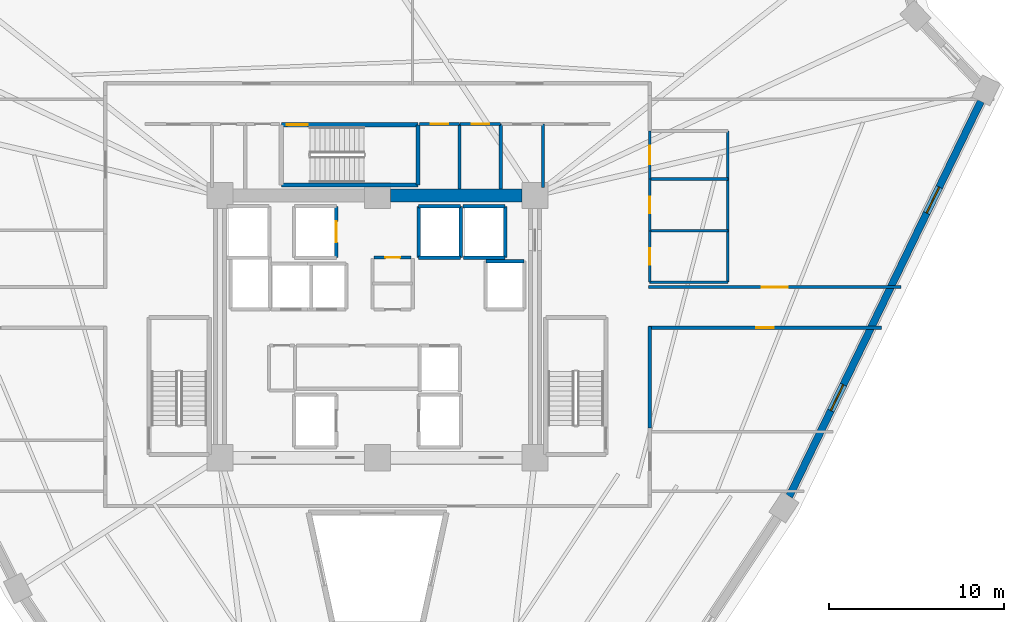
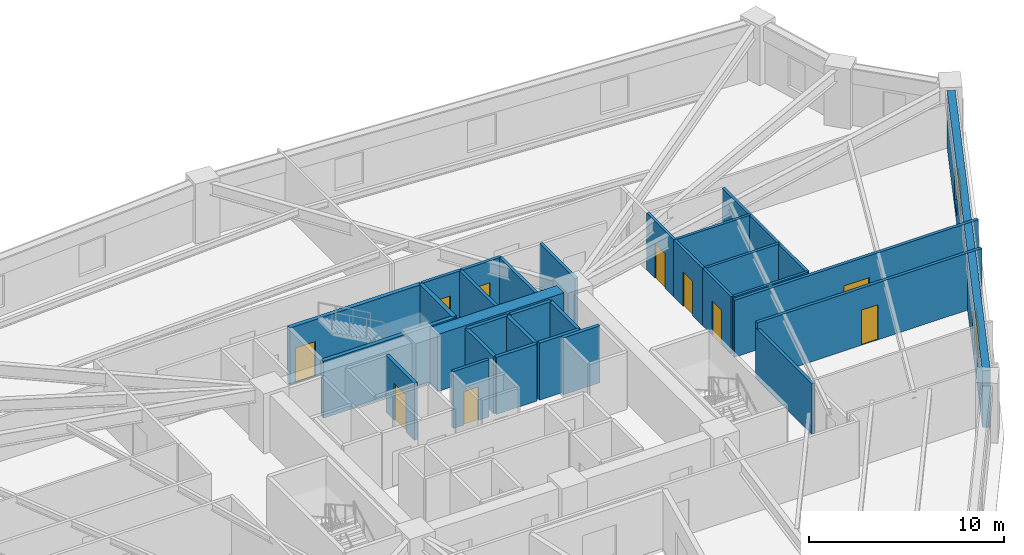
# One storey, part 6 of 8: 30 walls, 10 doors, 2 windows, 12 openings.
"""IFC4 building model written with IfcOpenShell, lengths in metres."""

from ifc_helpers import new_model, si_unit, direction, frame, frame_2d, origin, place, context, subcontext, project, spatial, rectangle, extrude, source, transform, mapped, material, layer, layer_set, type_object, element, fill, save


model = new_model("IFC4")

# Units and contexts
model_context = context("Model", 3, precision=1e-05, world=origin(), true_north=direction((0.0, 1.0)))
body_context = subcontext(model_context, "Body", "Model", "MODEL_VIEW")
ifc_project = project(units=[si_unit("LENGTHUNIT", "METRE"), si_unit("AREAUNIT", "SQUARE_METRE"), si_unit("VOLUMEUNIT", "CUBIC_METRE"), si_unit("PLANEANGLEUNIT", "RADIAN"), si_unit("MASSUNIT", "GRAM", prefix="KILO")], contexts=[model_context])

# Site, building, storey
site_placement = place(None, origin())
site = spatial("IfcSite", under=ifc_project, at=site_placement, CompositionType="ELEMENT")
building_placement = place(site_placement, origin())
building = spatial("IfcBuilding", under=site, at=building_placement, Name="Liaohun Quay Tower", CompositionType="ELEMENT")
storey_placement = place(building_placement, frame((0.0, 0.0, 174.0)))
storey = spatial("IfcBuildingStorey", under=building, at=storey_placement, Name="L45", CompositionType="ELEMENT", Elevation=174.0)

# Wall
ifc_material_1 = material(Name="Concrete C60", Category="concrete")
ifc_layer_1 = layer(ifc_material_1, 0.75, Name="Concrete C60", Category="concrete")
ifc_layer_set_1 = layer_set([ifc_layer_1], Name="Concrete C60")
wall_type_1 = type_object("IfcWallType", Name="WAL-COR-Z2", PredefinedType="SHEAR", material=ifc_layer_set_1)
wall_1_placement = place(storey_placement, frame((60.75, 61.5, 0.0), z_axis=(0.0, 0.0, 1.0), x_axis=(1.0, 0.0, 0.0)))
element("IfcWall", 1, at=wall_1_placement, inside=storey, type_object=wall_type_1, Name="L45 Central Core Shear Wall N-E", PredefinedType="SHEAR", context=body_context, shape_type="SweptSolid", body=[
    extrude(rectangle(XDim=7.5, YDim=0.75, at=frame_2d((3.75, 0.0))), origin(), (0.0, 0.0, 1.0), 3.570068359375),
])

# Wall, openings, windows
ifc_material_2 = material(Name="Precast concrete C50 insulated sandwich", Category="concrete")
ifc_layer_2 = layer(ifc_material_2, 0.419921875, Name="Precast concrete C50 insulated sandwich", Category="concrete")
ifc_layer_set_2 = layer_set([ifc_layer_2], Name="Precast concrete C50 insulated sandwich")
wall_type_2 = type_object("IfcWallType", Name="WAL-EXT-Z12", PredefinedType="SOLIDWALL", material=ifc_layer_set_2)
wall_2_placement = place(storey_placement, frame((83.532958984375, 44.29296875, 0.0), z_axis=(0.0, 0.0, 1.0), x_axis=(0.43630023006, 0.899801149838, 0.0)))
wall_2 = element("IfcWall", 2, at=wall_2_placement, inside=storey, type_object=wall_type_2, Name="L45 Brutalist Precast Pier Wall 03", PredefinedType="SOLIDWALL", context=body_context, shape_type="SweptSolid", body=[
    extrude(rectangle(XDim=25.1044921875, YDim=0.419921875, at=frame_2d((12.55224609375, 0.0))), origin(), (0.0, 0.0, 1.0), 3.570068359375),
])
shared_shape_1 = source(origin(), body_context, "Body", "SweptSolid", [
    extrude(rectangle(XDim=1.64990234375, YDim=1.949951171875, at=frame_2d((0.824951171875, 0.97509765625))), frame((0.0, 0.219970703125, 0.0), z_axis=(0.0, -1.0, 0.0), x_axis=(1.0, 0.0, 0.0)), (0.0, 0.0, 1.0), 0.43994140625),
])
opening_1_placement = place(wall_2_placement, frame((5.450927734375, 0.0, 0.550048828125)))
opening_1 = element("IfcOpeningElement", 3, at=opening_1_placement, cuts=wall_2, Name="Opening W02", PredefinedType="OPENING", context=body_context, shape_type="MappedRepresentation", body=[
    mapped(shared_shape_1, transform((0.0, 0.0, 0.0), x_axis=(1.0, 0.0, 0.0), y_axis=(0.0, 1.0, 0.0), z_axis=(0.0, 0.0, 1.0), scale=1.0)),
])
opening_2_placement = place(wall_2_placement, frame((18.0029296875, 0.0, 0.550048828125)))
opening_2 = element("IfcOpeningElement", 4, at=opening_2_placement, cuts=wall_2, Name="Opening W02", PredefinedType="OPENING", context=body_context, shape_type="MappedRepresentation", body=[
    mapped(shared_shape_1, transform((0.0, 0.0, 0.0), x_axis=(1.0, 0.0, 0.0), y_axis=(0.0, 1.0, 0.0), z_axis=(0.0, 0.0, 1.0), scale=1.0)),
])
ifc_material_3 = material(Name="Triple Low-E argon glazing in thermally broken aluminium", Category="aluminium")
window_type = type_object("IfcWindowType", Name="WIN-PUN-Z2", PartitioningType="DOUBLE_PANEL_VERTICAL", PredefinedType="WINDOW", material=ifc_material_3)
shared_shape_2 = source(origin(), body_context, "Body", "SweptSolid", [
    extrude(rectangle(XDim=1.64990234375, YDim=1.949951171875, at=frame_2d((0.824951171875, 0.97509765625))), frame((0.0, 0.030029296875, 0.0), z_axis=(0.0, -1.0, 0.0), x_axis=(1.0, 0.0, 0.0)), (0.0, 0.0, 1.0), 0.06005859375),
])
window_1_placement = place(opening_1_placement, origin())
window_1 = element("IfcWindow", 5, at=window_1_placement, inside=storey, type_object=window_type, Name="L45 Recessed Cold-Climate Punched Window 03-1", OverallHeight=1.949951171875, OverallWidth=1.64990234375, PartitioningType="DOUBLE_PANEL_VERTICAL", PredefinedType="WINDOW", context=body_context, shape_type="MappedRepresentation", body=[
    mapped(shared_shape_2, transform((0.0, 0.0, 0.0), x_axis=(1.0, 0.0, 0.0), y_axis=(0.0, 1.0, 0.0), z_axis=(0.0, 0.0, 1.0), scale=1.0)),
])
fill(opening_1, window_1)
window_2_placement = place(opening_2_placement, origin())
window_2 = element("IfcWindow", 6, at=window_2_placement, inside=storey, type_object=window_type, Name="L45 Recessed Cold-Climate Punched Window 03-3", OverallHeight=1.949951171875, OverallWidth=1.64990234375, PartitioningType="DOUBLE_PANEL_VERTICAL", PredefinedType="WINDOW", context=body_context, shape_type="MappedRepresentation", body=[
    mapped(shared_shape_2, transform((0.0, 0.0, 0.0), x_axis=(1.0, 0.0, 0.0), y_axis=(0.0, 1.0, 0.0), z_axis=(0.0, 0.0, 1.0), scale=1.0)),
])
fill(opening_2, window_2)

# Wall, opening, door
ifc_material_4 = material(Name="Autoclaved aerated concrete blockwork", Category="masonry")
ifc_layer_3 = layer(ifc_material_4, 0.179931640625, Name="Autoclaved aerated concrete blockwork", Category="masonry")
ifc_layer_set_3 = layer_set([ifc_layer_3], Name="Autoclaved aerated concrete blockwork")
wall_type_3 = type_object("IfcWallType", Name="WAL-PRT-COR", PredefinedType="PARTITIONING", material=ifc_layer_set_3)
wall_3_placement = place(storey_placement, frame((59.81005859375, 57.949951171875, 0.0), z_axis=(0.0, 0.0, 1.0), x_axis=(1.0, 0.0, 0.0)))
wall_3 = element("IfcWall", 7, at=wall_3_placement, inside=storey, type_object=wall_type_3, Name="L45 Interior Partition Wall 003", PredefinedType="PARTITIONING", context=body_context, shape_type="SweptSolid", body=[
    extrude(rectangle(XDim=2.10986328125, YDim=0.179931640625, at=frame_2d((1.054931640625, 0.0))), origin(), (0.0, 0.0, 1.0), 3.570068359375),
])
shared_shape_3 = source(origin(), body_context, "Body", "SweptSolid", [
    extrude(rectangle(XDim=0.85009765625, YDim=2.10009765625, at=frame_2d((0.425048828125, 1.050048828125))), frame((0.0, 0.099853515625, 0.0), z_axis=(0.0, -1.0, 0.0), x_axis=(1.0, 0.0, 0.0)), (0.0, 0.0, 1.0), 0.199951171875),
])
opening_3_placement = place(wall_3_placement, frame((0.635009765625, 0.0, 0.0)))
opening_3 = element("IfcOpeningElement", 8, at=opening_3_placement, cuts=wall_3, Name="Opening AD1", PredefinedType="OPENING", context=body_context, shape_type="MappedRepresentation", body=[
    mapped(shared_shape_3, transform((0.0, 0.0, 0.0), x_axis=(1.0, 0.0, 0.0), y_axis=(0.0, 1.0, 0.0), z_axis=(0.0, 0.0, 1.0), scale=1.0)),
])
ifc_material_5 = material(Name="Steel riser inspection fire door", Category="steel")
door_type_1 = type_object("IfcDoorType", Name="DOR-SHF-850", OperationType="NOTDEFINED", PredefinedType="DOOR", material=ifc_material_5)
shared_shape_4 = source(origin(), body_context, "Body", "SweptSolid", [
    extrude(rectangle(XDim=0.85009765625, YDim=2.10009765625, at=frame_2d((0.425048828125, 1.050048828125))), frame((0.0, 0.02490234375, 0.0), z_axis=(0.0, -1.0, 0.0), x_axis=(1.0, 0.0, 0.0)), (0.0, 0.0, 1.0), 0.050048828125),
])
door_1_placement = place(opening_3_placement, origin())
door_1 = element("IfcDoor", 9, at=door_1_placement, inside=storey, type_object=door_type_1, Name="L45 Telecom Comms Closet Door", OperationType="SINGLE_SWING_RIGHT", OverallHeight=2.10009765625, OverallWidth=0.85009765625, PredefinedType="DOOR", context=body_context, shape_type="MappedRepresentation", body=[
    mapped(shared_shape_4, transform((0.0, 0.0, 0.0), x_axis=(1.0, 0.0, 0.0), y_axis=(0.0, 1.0, 0.0), z_axis=(0.0, 0.0, 1.0), scale=1.0)),
])
fill(opening_3, door_1)

wall_4_placement = place(storey_placement, frame((62.389892578125, 65.580078125, 0.0), z_axis=(0.0, 0.0, 1.0), x_axis=(1.0, 0.0, 0.0)))
wall_4 = element("IfcWall", 10, at=wall_4_placement, inside=storey, type_object=wall_type_3, Name="L45 Interior Partition Wall 010", PredefinedType="PARTITIONING", context=body_context, shape_type="SweptSolid", body=[
    extrude(rectangle(XDim=2.2900390625, YDim=0.179931640625, at=frame_2d((1.14501953125, 0.0))), origin(), (0.0, 0.0, 1.0), 3.570068359375),
])
shared_shape_5 = source(origin(), body_context, "Body", "SweptSolid", [
    extrude(rectangle(XDim=1.0, YDim=2.199951171875, at=frame_2d((0.5, 1.10009765625))), frame((0.0, 0.099853515625, 0.0), z_axis=(0.0, -1.0, 0.0), x_axis=(1.0, 0.0, 0.0)), (0.0, 0.0, 1.0), 0.199951171875),
])
opening_4_placement = place(wall_4_placement, frame((0.64501953125, 0.0, 0.0)))
opening_4 = element("IfcOpeningElement", 11, at=opening_4_placement, cuts=wall_4, Name="Opening OD1", PredefinedType="OPENING", context=body_context, shape_type="MappedRepresentation", body=[
    mapped(shared_shape_5, transform((0.0, 0.0, 0.0), x_axis=(1.0, 0.0, 0.0), y_axis=(0.0, 1.0, 0.0), z_axis=(0.0, 0.0, 1.0), scale=1.0)),
])
ifc_material_6 = material(Name="Solid-core oak veneer timber leaf in steel frame", Category="steel")
door_type_2 = type_object("IfcDoorType", Name="DOR-OFF-1000", OperationType="NOTDEFINED", PredefinedType="DOOR", material=ifc_material_6)
shared_shape_6 = source(origin(), body_context, "Body", "SweptSolid", [
    extrude(rectangle(XDim=1.0, YDim=2.199951171875, at=frame_2d((0.5, 1.10009765625))), frame((0.0, 0.02490234375, 0.0), z_axis=(0.0, -1.0, 0.0), x_axis=(1.0, 0.0, 0.0)), (0.0, 0.0, 1.0), 0.050048828125),
])
door_2_placement = place(opening_4_placement, origin())
door_2 = element("IfcDoor", 12, at=door_2_placement, inside=storey, type_object=door_type_2, Name="L45 North-East Mail Store Door", OperationType="SINGLE_SWING_LEFT", OverallHeight=2.199951171875, OverallWidth=1.0, PredefinedType="DOOR", context=body_context, shape_type="MappedRepresentation", body=[
    mapped(shared_shape_6, transform((0.0, 0.0, 0.0), x_axis=(1.0, 0.0, 0.0), y_axis=(0.0, 1.0, 0.0), z_axis=(0.0, 0.0, 1.0), scale=1.0)),
])
fill(opening_4, door_2)

wall_5_placement = place(storey_placement, frame((64.719970703125, 65.580078125, 0.0), z_axis=(0.0, 0.0, 1.0), x_axis=(1.0, 0.0, 0.0)))
wall_5 = element("IfcWall", 13, at=wall_5_placement, inside=storey, type_object=wall_type_3, Name="L45 Interior Partition Wall 011", PredefinedType="PARTITIONING", context=body_context, shape_type="SweptSolid", body=[
    extrude(rectangle(XDim=2.320068359375, YDim=0.179931640625, at=frame_2d((1.16015625, 0.0))), origin(), (0.0, 0.0, 1.0), 3.570068359375),
])
opening_5_placement = place(wall_5_placement, frame((0.659912109375, 0.0, 0.0)))
opening_5 = element("IfcOpeningElement", 14, at=opening_5_placement, cuts=wall_5, Name="Opening OD1", PredefinedType="OPENING", context=body_context, shape_type="MappedRepresentation", body=[
    mapped(shared_shape_5, transform((0.0, 0.0, 0.0), x_axis=(1.0, 0.0, 0.0), y_axis=(0.0, 1.0, 0.0), z_axis=(0.0, 0.0, 1.0), scale=1.0)),
])
door_3_placement = place(opening_5_placement, origin())
door_3 = element("IfcDoor", 15, at=door_3_placement, inside=storey, type_object=door_type_2, Name="L45 North-East Comms Room Door", OperationType="SINGLE_SWING_RIGHT", OverallHeight=2.199951171875, OverallWidth=1.0, PredefinedType="DOOR", context=body_context, shape_type="MappedRepresentation", body=[
    mapped(shared_shape_6, transform((0.0, 0.0, 0.0), x_axis=(1.0, 0.0, 0.0), y_axis=(0.0, 1.0, 0.0), z_axis=(0.0, 0.0, 1.0), scale=1.0)),
])
fill(opening_5, door_3)

wall_6_placement = place(storey_placement, frame((75.489990234375, 56.260009765625, 0.0), z_axis=(0.0, 0.0, 1.0), x_axis=(1.0, 0.0, 0.0)))
wall_6 = element("IfcWall", 16, at=wall_6_placement, inside=storey, type_object=wall_type_3, Name="L45 Interior Partition Wall 015", PredefinedType="PARTITIONING", context=body_context, shape_type="SweptSolid", body=[
    extrude(rectangle(XDim=14.43798828125, YDim=0.179931640625, at=frame_2d((7.218994140625, 0.0))), origin(), (0.0, 0.0, 1.0), 3.570068359375),
])
shared_shape_7 = source(origin(), body_context, "Body", "SweptSolid", [
    extrude(rectangle(XDim=1.5, YDim=2.199951171875, at=frame_2d((0.75, 1.10009765625))), frame((0.0, 0.099853515625, 0.0), z_axis=(0.0, -1.0, 0.0), x_axis=(1.0, 0.0, 0.0)), (0.0, 0.0, 1.0), 0.199951171875),
])
opening_6_placement = place(wall_6_placement, frame((6.468994140625, 0.0, 0.0)))
opening_6 = element("IfcOpeningElement", 17, at=opening_6_placement, cuts=wall_6, Name="Opening OD2", PredefinedType="OPENING", context=body_context, shape_type="MappedRepresentation", body=[
    mapped(shared_shape_7, transform((0.0, 0.0, 0.0), x_axis=(1.0, 0.0, 0.0), y_axis=(0.0, 1.0, 0.0), z_axis=(0.0, 0.0, 1.0), scale=1.0)),
])
ifc_material_7 = material(Name="Acoustic oak veneer double door")
door_type_3 = type_object("IfcDoorType", Name="DOR-OFF-1500", OperationType="DOUBLE_DOOR_SINGLE_SWING", PredefinedType="DOOR", material=ifc_material_7)
shared_shape_8 = source(origin(), body_context, "Body", "SweptSolid", [
    extrude(rectangle(XDim=1.5, YDim=2.199951171875, at=frame_2d((0.75, 1.10009765625))), frame((0.0, 0.02490234375, 0.0), z_axis=(0.0, -1.0, 0.0), x_axis=(1.0, 0.0, 0.0)), (0.0, 0.0, 1.0), 0.050048828125),
])
door_4_placement = place(opening_6_placement, origin())
door_4 = element("IfcDoor", 18, at=door_4_placement, inside=storey, type_object=door_type_3, Name="L45 Technical Reference Library 01 Door", OperationType="DOUBLE_DOOR_SINGLE_SWING", OverallHeight=2.199951171875, OverallWidth=1.5, PredefinedType="DOOR", context=body_context, shape_type="MappedRepresentation", body=[
    mapped(shared_shape_8, transform((0.0, 0.0, 0.0), x_axis=(1.0, 0.0, 0.0), y_axis=(0.0, 1.0, 0.0), z_axis=(0.0, 0.0, 1.0), scale=1.0)),
])
fill(opening_6, door_4)

wall_7_placement = place(storey_placement, frame((88.802978515625, 53.93994140625, 0.0), z_axis=(0.0, 0.0, 1.0), x_axis=(-1.0, 0.0, 0.0)))
wall_7 = element("IfcWall", 19, at=wall_7_placement, inside=storey, type_object=wall_type_3, Name="L45 Interior Partition Wall 024", PredefinedType="PARTITIONING", context=body_context, shape_type="SweptSolid", body=[
    extrude(rectangle(XDim=13.31298828125, YDim=0.179931640625, at=frame_2d((6.656494140625, 0.0))), origin(), (0.0, 0.0, 1.0), 3.570068359375),
])
opening_7_placement = place(wall_7_placement, frame((6.156982421875, 0.0, 0.0)))
opening_7 = element("IfcOpeningElement", 20, at=opening_7_placement, cuts=wall_7, Name="Opening OD1", PredefinedType="OPENING", context=body_context, shape_type="MappedRepresentation", body=[
    mapped(shared_shape_5, transform((0.0, 0.0, 0.0), x_axis=(1.0, 0.0, 0.0), y_axis=(0.0, 1.0, 0.0), z_axis=(0.0, 0.0, 1.0), scale=1.0)),
])
door_5_placement = place(opening_7_placement, origin())
door_5 = element("IfcDoor", 21, at=door_5_placement, inside=storey, type_object=door_type_2, Name="L45 Open-Plan Office Workplace 10 Door", OperationType="SINGLE_SWING_LEFT", OverallHeight=2.199951171875, OverallWidth=1.0, PredefinedType="DOOR", context=body_context, shape_type="MappedRepresentation", body=[
    mapped(shared_shape_6, transform((0.0, 0.0, 0.0), x_axis=(1.0, 0.0, 0.0), y_axis=(0.0, 1.0, 0.0), z_axis=(0.0, 0.0, 1.0), scale=1.0)),
])
fill(opening_7, door_5)

# Walls
for number, where, z_axis, x_axis, name in (
    (22, (64.679931640625, 61.875, 0.0), (0.0, 0.0, 1.0), (0.0, 1.0, 0.0), "L45 Interior Partition Wall 038"),
    (23, (67.0400390625, 61.875, 0.0), (0.0, 0.0, 1.0), (0.0, 1.0, 0.0), "L45 Interior Partition Wall 039"),
):
    element("IfcWall", number, at=place(storey_placement, frame(where, z_axis=z_axis, x_axis=x_axis)), inside=storey, type_object=wall_type_3, Name=name, PredefinedType="PARTITIONING", context=body_context, shape_type="SweptSolid", body=[
        extrude(rectangle(XDim=3.705078125, YDim=0.179931640625, at=frame_2d((1.8525390625, 0.0))), origin(), (0.0, 0.0, 1.0), 3.570068359375),
    ])
wall_8_placement = place(storey_placement, frame((69.4599609375, 61.949951171875, 0.0), z_axis=(0.0, 0.0, 1.0), x_axis=(0.0, 1.0, 0.0)))
element("IfcWall", 24, at=wall_8_placement, inside=storey, type_object=wall_type_3, Name="L45 Interior Partition Wall 040", PredefinedType="PARTITIONING", context=body_context, shape_type="SweptSolid", body=[
    extrude(rectangle(XDim=3.630126953125, YDim=0.179931640625, at=frame_2d((1.81494140625, 0.0))), origin(), (0.0, 0.0, 1.0), 3.570068359375),
])
wall_9_placement = place(storey_placement, frame((75.56005859375, 54.010009765625, 0.0), z_axis=(0.0, 0.0, 1.0), x_axis=(0.0, -1.0, 0.0)))
element("IfcWall", 25, at=wall_9_placement, inside=storey, type_object=wall_type_3, Name="L45 Interior Partition Wall 048", PredefinedType="PARTITIONING", context=body_context, shape_type="SweptSolid", body=[
    extrude(rectangle(XDim=5.794921875, YDim=0.179931640625, at=frame_2d((2.8974609375, 0.0))), origin(), (0.0, 0.0, 1.0), 3.155029296875),
])

# Wall, opening, door
ifc_material_8 = material(Name="Moisture-resistant masonry blockwork", Category="masonry")
ifc_layer_4 = layer(ifc_material_8, 0.159912109375, Name="Moisture-resistant masonry blockwork", Category="masonry")
ifc_layer_set_4 = layer_set([ifc_layer_4], Name="Moisture-resistant masonry blockwork")
wall_type_4 = type_object("IfcWallType", Name="WAL-PRT-WET", PredefinedType="PARTITIONING", material=ifc_layer_set_4)
wall_10_placement = place(storey_placement, frame((75.56005859375, 56.5400390625, 0.0), z_axis=(0.0, 0.0, 1.0), x_axis=(0.0, 1.0, 0.0)))
wall_10 = element("IfcWall", 26, at=wall_10_placement, inside=storey, type_object=wall_type_4, Name="L45 Interior Partition Wall 005", PredefinedType="PARTITIONING", context=body_context, shape_type="SweptSolid", body=[
    extrude(rectangle(XDim=2.93994140625, YDim=0.159912109375, at=frame_2d((1.469970703125, 0.0))), origin(), (0.0, 0.0, 1.0), 3.570068359375),
])
shared_shape_9 = source(origin(), body_context, "Body", "SweptSolid", [
    extrude(rectangle(XDim=0.949951171875, YDim=2.14990234375, at=frame_2d((0.47509765625, 1.074951171875))), frame((0.0, 0.08984375, 0.0), z_axis=(0.0, -1.0, 0.0), x_axis=(1.0, 0.0, 0.0)), (0.0, 0.0, 1.0), 0.179931640625),
])
opening_8_placement = place(wall_10_placement, frame((0.9951171875, 0.0, 0.0)))
opening_8 = element("IfcOpeningElement", 27, at=opening_8_placement, cuts=wall_10, Name="Opening WD1", PredefinedType="OPENING", context=body_context, shape_type="MappedRepresentation", body=[
    mapped(shared_shape_9, transform((0.0, 0.0, 0.0), x_axis=(1.0, 0.0, 0.0), y_axis=(0.0, 1.0, 0.0), z_axis=(0.0, 0.0, 1.0), scale=1.0)),
])
ifc_material_9 = material(Name="Moisture-resistant laminate timber leaf", Category="wood")
door_type_4 = type_object("IfcDoorType", Name="DOR-WC-950", OperationType="NOTDEFINED", PredefinedType="DOOR", material=ifc_material_9)
shared_shape_10 = source(origin(), body_context, "Body", "SweptSolid", [
    extrude(rectangle(XDim=0.949951171875, YDim=2.14990234375, at=frame_2d((0.47509765625, 1.074951171875))), frame((0.0, 0.02490234375, 0.0), z_axis=(0.0, -1.0, 0.0), x_axis=(1.0, 0.0, 0.0)), (0.0, 0.0, 1.0), 0.050048828125),
])
door_6_placement = place(opening_8_placement, origin())
door_6 = element("IfcDoor", 28, at=door_6_placement, inside=storey, type_object=door_type_4, Name="L45 Male Restroom WC Door", OperationType="SINGLE_SWING_RIGHT", OverallHeight=2.14990234375, OverallWidth=0.949951171875, PredefinedType="DOOR", context=body_context, shape_type="MappedRepresentation", body=[
    mapped(shared_shape_10, transform((0.0, 0.0, 0.0), x_axis=(1.0, 0.0, 0.0), y_axis=(0.0, 1.0, 0.0), z_axis=(0.0, 0.0, 1.0), scale=1.0)),
])
fill(opening_8, door_6)

wall_11_placement = place(storey_placement, frame((75.56005859375, 59.47998046875, 0.0), z_axis=(0.0, 0.0, 1.0), x_axis=(0.0, 1.0, 0.0)))
wall_11 = element("IfcWall", 29, at=wall_11_placement, inside=storey, type_object=wall_type_4, Name="L45 Interior Partition Wall 006", PredefinedType="PARTITIONING", context=body_context, shape_type="SweptSolid", body=[
    extrude(rectangle(XDim=2.9599609375, YDim=0.159912109375, at=frame_2d((1.47998046875, 0.0))), origin(), (0.0, 0.0, 1.0), 3.570068359375),
])
opening_9_placement = place(wall_11_placement, frame((1.0048828125, 0.0, 0.0)))
opening_9 = element("IfcOpeningElement", 30, at=opening_9_placement, cuts=wall_11, Name="Opening WD1", PredefinedType="OPENING", context=body_context, shape_type="MappedRepresentation", body=[
    mapped(shared_shape_9, transform((0.0, 0.0, 0.0), x_axis=(1.0, 0.0, 0.0), y_axis=(0.0, 1.0, 0.0), z_axis=(0.0, 0.0, 1.0), scale=1.0)),
])
door_7_placement = place(opening_9_placement, origin())
door_7 = element("IfcDoor", 31, at=door_7_placement, inside=storey, type_object=door_type_4, Name="L45 Female Restroom WC Door", OperationType="SINGLE_SWING_LEFT", OverallHeight=2.14990234375, OverallWidth=0.949951171875, PredefinedType="DOOR", context=body_context, shape_type="MappedRepresentation", body=[
    mapped(shared_shape_10, transform((0.0, 0.0, 0.0), x_axis=(1.0, 0.0, 0.0), y_axis=(0.0, 1.0, 0.0), z_axis=(0.0, 0.0, 1.0), scale=1.0)),
])
fill(opening_9, door_7)

wall_12_placement = place(storey_placement, frame((75.56005859375, 62.43994140625, 0.0), z_axis=(0.0, 0.0, 1.0), x_axis=(0.0, 1.0, 0.0)))
wall_12 = element("IfcWall", 32, at=wall_12_placement, inside=storey, type_object=wall_type_4, Name="L45 Interior Partition Wall 007", PredefinedType="PARTITIONING", context=body_context, shape_type="SweptSolid", body=[
    extrude(rectangle(XDim=2.739990234375, YDim=0.159912109375, at=frame_2d((1.3701171875, 0.0))), origin(), (0.0, 0.0, 1.0), 3.570068359375),
])
shared_shape_11 = source(origin(), body_context, "Body", "SweptSolid", [
    extrude(rectangle(XDim=1.050048828125, YDim=2.14990234375, at=frame_2d((0.52490234375, 1.074951171875))), frame((0.0, 0.08984375, 0.0), z_axis=(0.0, -1.0, 0.0), x_axis=(1.0, 0.0, 0.0)), (0.0, 0.0, 1.0), 0.179931640625),
])
opening_10_placement = place(wall_12_placement, frame((0.844970703125, 0.0, 0.0)))
opening_10 = element("IfcOpeningElement", 33, at=opening_10_placement, cuts=wall_12, Name="Opening WD2", PredefinedType="OPENING", context=body_context, shape_type="MappedRepresentation", body=[
    mapped(shared_shape_11, transform((0.0, 0.0, 0.0), x_axis=(1.0, 0.0, 0.0), y_axis=(0.0, 1.0, 0.0), z_axis=(0.0, 0.0, 1.0), scale=1.0)),
])
ifc_material_10 = material(Name="Accessible outward-swinging laminate door")
door_type_5 = type_object("IfcDoorType", Name="DOR-AWC-1050", OperationType="NOTDEFINED", PredefinedType="DOOR", material=ifc_material_10)
shared_shape_12 = source(origin(), body_context, "Body", "SweptSolid", [
    extrude(rectangle(XDim=1.050048828125, YDim=2.14990234375, at=frame_2d((0.52490234375, 1.074951171875))), frame((0.0, 0.02490234375, 0.0), z_axis=(0.0, -1.0, 0.0), x_axis=(1.0, 0.0, 0.0)), (0.0, 0.0, 1.0), 0.050048828125),
])
door_8_placement = place(opening_10_placement, origin())
door_8 = element("IfcDoor", 34, at=door_8_placement, inside=storey, type_object=door_type_5, Name="L45 Accessible WC Door", OperationType="SINGLE_SWING_RIGHT", OverallHeight=2.14990234375, OverallWidth=1.050048828125, PredefinedType="DOOR", context=body_context, shape_type="MappedRepresentation", body=[
    mapped(shared_shape_12, transform((0.0, 0.0, 0.0), x_axis=(1.0, 0.0, 0.0), y_axis=(0.0, 1.0, 0.0), z_axis=(0.0, 0.0, 1.0), scale=1.0)),
])
fill(opening_10, door_8)

# Walls
wall_13_placement = place(storey_placement, frame((80.02001953125, 56.5400390625, 0.0), z_axis=(0.0, 0.0, 1.0), x_axis=(0.0, 1.0, 0.0)))
element("IfcWall", 35, at=wall_13_placement, inside=storey, type_object=wall_type_4, Name="L45 Interior Partition Wall 031", PredefinedType="PARTITIONING", context=body_context, shape_type="SweptSolid", body=[
    extrude(rectangle(XDim=8.639892578125, YDim=0.159912109375, at=frame_2d((4.31982421875, 0.0))), origin(), (0.0, 0.0, 1.0), 3.570068359375),
])
for number, where, z_axis, x_axis, name in (
    (36, (75.56005859375, 56.5400390625, 0.0), (0.0, 0.0, 1.0), (1.0, 0.0, 0.0), "L45 Interior Partition Wall 032"),
    (37, (75.56005859375, 59.47998046875, 0.0), (0.0, 0.0, 1.0), (1.0, 0.0, 0.0), "L45 Interior Partition Wall 033"),
    (38, (75.56005859375, 62.43994140625, 0.0), (0.0, 0.0, 1.0), (1.0, 0.0, 0.0), "L45 Interior Partition Wall 034"),
):
    element("IfcWall", number, at=place(storey_placement, frame(where, z_axis=z_axis, x_axis=x_axis)), inside=storey, type_object=wall_type_4, Name=name, PredefinedType="PARTITIONING", context=body_context, shape_type="SweptSolid", body=[
        extrude(rectangle(XDim=4.4599609375, YDim=0.159912109375, at=frame_2d((2.22998046875, 0.0))), origin(), (0.0, 0.0, 1.0), 3.570068359375),
    ])
ifc_material_11 = material(Name="Concrete C50", Category="concrete")
ifc_layer_5 = layer(ifc_material_11, 0.239990234375, Name="Concrete C50", Category="concrete")
ifc_layer_set_5 = layer_set([ifc_layer_5], Name="Concrete C50")
wall_type_5 = type_object("IfcWallType", Name="WAL-SHF-200", PredefinedType="SOLIDWALL", material=ifc_layer_set_5)
wall_14_placement = place(storey_placement, frame((54.5, 62.10009765625, 0.0), z_axis=(0.0, 0.0, 1.0), x_axis=(1.0, 0.0, 0.0)))
element("IfcWall", 39, at=wall_14_placement, inside=storey, type_object=wall_type_5, Name="L45 Stairwell ST-3 Structural Core Wall S", PredefinedType="SOLIDWALL", context=body_context, shape_type="SweptSolid", body=[
    extrude(rectangle(XDim=7.820068359375, YDim=0.239990234375, at=frame_2d((3.91015625, 0.0))), origin(), (0.0, 0.0, 1.0), 3.570068359375),
])
wall_15_placement = place(storey_placement, frame((62.320068359375, 62.10009765625, 0.0), z_axis=(0.0, 0.0, 1.0), x_axis=(0.0, 1.0, 0.0)))
element("IfcWall", 40, at=wall_15_placement, inside=storey, type_object=wall_type_5, Name="L45 Stairwell ST-3 Structural Core Wall E", PredefinedType="SOLIDWALL", context=body_context, shape_type="SweptSolid", body=[
    extrude(rectangle(XDim=3.43994140625, YDim=0.239990234375, at=frame_2d((1.719970703125, 0.0))), origin(), (0.0, 0.0, 1.0), 3.570068359375),
])

# Wall, opening, door
wall_16_placement = place(storey_placement, frame((62.320068359375, 65.5400390625, 0.0), z_axis=(0.0, 0.0, 1.0), x_axis=(-1.0, 0.0, 0.0)))
wall_16 = element("IfcWall", 41, at=wall_16_placement, inside=storey, type_object=wall_type_5, Name="L45 Stairwell ST-3 Structural Core Wall N", PredefinedType="SOLIDWALL", context=body_context, shape_type="SweptSolid", body=[
    extrude(rectangle(XDim=7.820068359375, YDim=0.239990234375, at=frame_2d((3.91015625, 0.0))), origin(), (0.0, 0.0, 1.0), 3.570068359375),
])
shared_shape_13 = source(origin(), body_context, "Body", "SweptSolid", [
    extrude(rectangle(XDim=1.199951171875, YDim=2.199951171875, at=frame_2d((0.60009765625, 1.10009765625))), frame((0.0, 0.1298828125, 0.0), z_axis=(0.0, -1.0, 0.0), x_axis=(1.0, 0.0, 0.0)), (0.0, 0.0, 1.0), 0.260009765625),
])
opening_11_placement = place(wall_16_placement, frame((6.300048828125, 0.0, 0.0)))
opening_11 = element("IfcOpeningElement", 42, at=opening_11_placement, cuts=wall_16, Name="Opening SD1", PredefinedType="OPENING", context=body_context, shape_type="MappedRepresentation", body=[
    mapped(shared_shape_13, transform((0.0, 0.0, 0.0), x_axis=(1.0, 0.0, 0.0), y_axis=(0.0, 1.0, 0.0), z_axis=(0.0, 0.0, 1.0), scale=1.0)),
])
ifc_material_12 = material(Name="Galvanised steel fire door", Category="steel")
door_type_6 = type_object("IfcDoorType", Name="DOR-STR-1200", OperationType="NOTDEFINED", PredefinedType="DOOR", material=ifc_material_12)
shared_shape_14 = source(origin(), body_context, "Body", "SweptSolid", [
    extrude(rectangle(XDim=1.199951171875, YDim=2.199951171875, at=frame_2d((0.60009765625, 1.10009765625))), frame((0.0, 0.02490234375, 0.0), z_axis=(0.0, -1.0, 0.0), x_axis=(1.0, 0.0, 0.0)), (0.0, 0.0, 1.0), 0.050048828125),
])
door_9_placement = place(opening_11_placement, origin())
door_9 = element("IfcDoor", 43, at=door_9_placement, inside=storey, type_object=door_type_6, Name="L45 Protected Stair ST-3 Fire Door", OperationType="SINGLE_SWING_RIGHT", OverallHeight=2.199951171875, OverallWidth=1.199951171875, PredefinedType="DOOR", context=body_context, shape_type="MappedRepresentation", body=[
    mapped(shared_shape_14, transform((0.0, 0.0, 0.0), x_axis=(1.0, 0.0, 0.0), y_axis=(0.0, 1.0, 0.0), z_axis=(0.0, 0.0, 1.0), scale=1.0)),
])
fill(opening_11, door_9)

wall_17_placement = place(storey_placement, frame((57.64990234375, 57.949951171875, 0.0), z_axis=(0.0, 0.0, 1.0), x_axis=(0.0, 1.0, 0.0)))
wall_17 = element("IfcWall", 44, at=wall_17_placement, inside=storey, type_object=wall_type_5, Name="L45 Lift FF-03 Hoistway Wall E", PredefinedType="SOLIDWALL", context=body_context, shape_type="SweptSolid", body=[
    extrude(rectangle(XDim=2.929931640625, YDim=0.199951171875, at=frame_2d((1.46484375, 0.0))), origin(), (0.0, 0.0, 1.0), 3.570068359375),
])
shared_shape_15 = source(origin(), body_context, "Body", "SweptSolid", [
    extrude(rectangle(XDim=1.199951171875, YDim=2.300048828125, at=frame_2d((0.60009765625, 1.14990234375))), frame((0.0, 0.10986328125, 0.0), z_axis=(0.0, -1.0, 0.0), x_axis=(1.0, 0.0, 0.0)), (0.0, 0.0, 1.0), 0.219970703125),
])
opening_12_placement = place(wall_17_placement, frame((0.864990234375, 0.0, 0.0)))
opening_12 = element("IfcOpeningElement", 45, at=opening_12_placement, cuts=wall_17, Name="Opening LD2", PredefinedType="OPENING", context=body_context, shape_type="MappedRepresentation", body=[
    mapped(shared_shape_15, transform((0.0, 0.0, 0.0), x_axis=(1.0, 0.0, 0.0), y_axis=(0.0, 1.0, 0.0), z_axis=(0.0, 0.0, 1.0), scale=1.0)),
])
ifc_material_13 = material(Name="Brushed stainless steel stretcher landing door", Category="steel")
door_type_7 = type_object("IfcDoorType", Name="DOR-LFT-1200", OperationType="SLIDING_TO_LEFT", PredefinedType="DOOR", material=ifc_material_13)
shared_shape_16 = source(origin(), body_context, "Body", "SweptSolid", [
    extrude(rectangle(XDim=1.199951171875, YDim=2.300048828125, at=frame_2d((0.60009765625, 1.14990234375))), frame((0.0, 0.02490234375, 0.0), z_axis=(0.0, -1.0, 0.0), x_axis=(1.0, 0.0, 0.0)), (0.0, 0.0, 1.0), 0.050048828125),
])
door_10_placement = place(opening_12_placement, origin())
door_10 = element("IfcDoor", 46, at=door_10_placement, inside=storey, type_object=door_type_7, Name="L45 Lift FF-03 Sliding Landing Door", OperationType="SLIDING_TO_LEFT", OverallHeight=2.300048828125, OverallWidth=1.199951171875, PredefinedType="DOOR", context=body_context, shape_type="MappedRepresentation", body=[
    mapped(shared_shape_16, transform((0.0, 0.0, 0.0), x_axis=(1.0, 0.0, 0.0), y_axis=(0.0, 1.0, 0.0), z_axis=(0.0, 0.0, 1.0), scale=1.0)),
])
fill(opening_12, door_10)

# Walls
wall_18_placement = place(storey_placement, frame((62.35009765625, 57.949951171875, 0.0), z_axis=(0.0, 0.0, 1.0), x_axis=(1.0, 0.0, 0.0)))
element("IfcWall", 47, at=wall_18_placement, inside=storey, type_object=wall_type_5, Name="L45 Lift OB-01 Hoistway Wall S", PredefinedType="SOLIDWALL", context=body_context, shape_type="SweptSolid", body=[
    extrude(rectangle(XDim=2.39990234375, YDim=0.199951171875, at=frame_2d((1.199951171875, 0.0))), origin(), (0.0, 0.0, 1.0), 3.570068359375),
])
wall_19_placement = place(storey_placement, frame((64.75, 57.949951171875, 0.0), z_axis=(0.0, 0.0, 1.0), x_axis=(0.0, 1.0, 0.0)))
element("IfcWall", 48, at=wall_19_placement, inside=storey, type_object=wall_type_5, Name="L45 Lift OB-01 Hoistway Wall E", PredefinedType="SOLIDWALL", context=body_context, shape_type="SweptSolid", body=[
    extrude(rectangle(XDim=2.929931640625, YDim=0.199951171875, at=frame_2d((1.46484375, 0.0))), origin(), (0.0, 0.0, 1.0), 3.570068359375),
])
wall_20_placement = place(storey_placement, frame((64.75, 60.8798828125, 0.0), z_axis=(0.0, 0.0, 1.0), x_axis=(-1.0, 0.0, 0.0)))
element("IfcWall", 49, at=wall_20_placement, inside=storey, type_object=wall_type_5, Name="L45 Lift OB-01 Hoistway Wall N", PredefinedType="SOLIDWALL", context=body_context, shape_type="SweptSolid", body=[
    extrude(rectangle(XDim=2.39990234375, YDim=0.199951171875, at=frame_2d((1.199951171875, 0.0))), origin(), (0.0, 0.0, 1.0), 3.570068359375),
])
wall_21_placement = place(storey_placement, frame((62.35009765625, 60.8798828125, 0.0), z_axis=(0.0, 0.0, 1.0), x_axis=(0.0, -1.0, 0.0)))
element("IfcWall", 50, at=wall_21_placement, inside=storey, type_object=wall_type_5, Name="L45 Lift OB-01 Hoistway Wall W", PredefinedType="SOLIDWALL", context=body_context, shape_type="SweptSolid", body=[
    extrude(rectangle(XDim=2.929931640625, YDim=0.199951171875, at=frame_2d((1.46484375, 0.0))), origin(), (0.0, 0.0, 1.0), 3.570068359375),
])
wall_22_placement = place(storey_placement, frame((64.89990234375, 57.949951171875, 0.0), z_axis=(0.0, 0.0, 1.0), x_axis=(1.0, 0.0, 0.0)))
element("IfcWall", 51, at=wall_22_placement, inside=storey, type_object=wall_type_5, Name="L45 Lift OB-02 Hoistway Wall S", PredefinedType="SOLIDWALL", context=body_context, shape_type="SweptSolid", body=[
    extrude(rectangle(XDim=2.400146484375, YDim=0.199951171875, at=frame_2d((1.2001953125, 0.0))), origin(), (0.0, 0.0, 1.0), 3.570068359375),
])
wall_23_placement = place(storey_placement, frame((67.300048828125, 57.949951171875, 0.0), z_axis=(0.0, 0.0, 1.0), x_axis=(0.0, 1.0, 0.0)))
element("IfcWall", 52, at=wall_23_placement, inside=storey, type_object=wall_type_5, Name="L45 Lift OB-02 Hoistway Wall E", PredefinedType="SOLIDWALL", context=body_context, shape_type="SweptSolid", body=[
    extrude(rectangle(XDim=2.929931640625, YDim=0.199951171875, at=frame_2d((1.46484375, 0.0))), origin(), (0.0, 0.0, 1.0), 3.570068359375),
])
wall_24_placement = place(storey_placement, frame((67.300048828125, 60.8798828125, 0.0), z_axis=(0.0, 0.0, 1.0), x_axis=(-1.0, 0.0, 0.0)))
element("IfcWall", 53, at=wall_24_placement, inside=storey, type_object=wall_type_5, Name="L45 Lift OB-02 Hoistway Wall N", PredefinedType="SOLIDWALL", context=body_context, shape_type="SweptSolid", body=[
    extrude(rectangle(XDim=2.400146484375, YDim=0.199951171875, at=frame_2d((1.2001953125, 0.0))), origin(), (0.0, 0.0, 1.0), 3.570068359375),
])
wall_25_placement = place(storey_placement, frame((68.3798828125, 57.75, 0.0), z_axis=(0.0, 0.0, 1.0), x_axis=(-1.0, 0.0, 0.0)))
element("IfcWall", 54, at=wall_25_placement, inside=storey, type_object=wall_type_5, Name="L45 Lift SH-03 Hoistway Wall N", PredefinedType="SOLIDWALL", context=body_context, shape_type="SweptSolid", body=[
    extrude(rectangle(XDim=2.179931640625, YDim=0.199951171875, at=frame_2d((1.08984375, 0.0))), origin(), (0.0, 0.0, 1.0), 3.570068359375),
])

save(model, "model.ifc")
